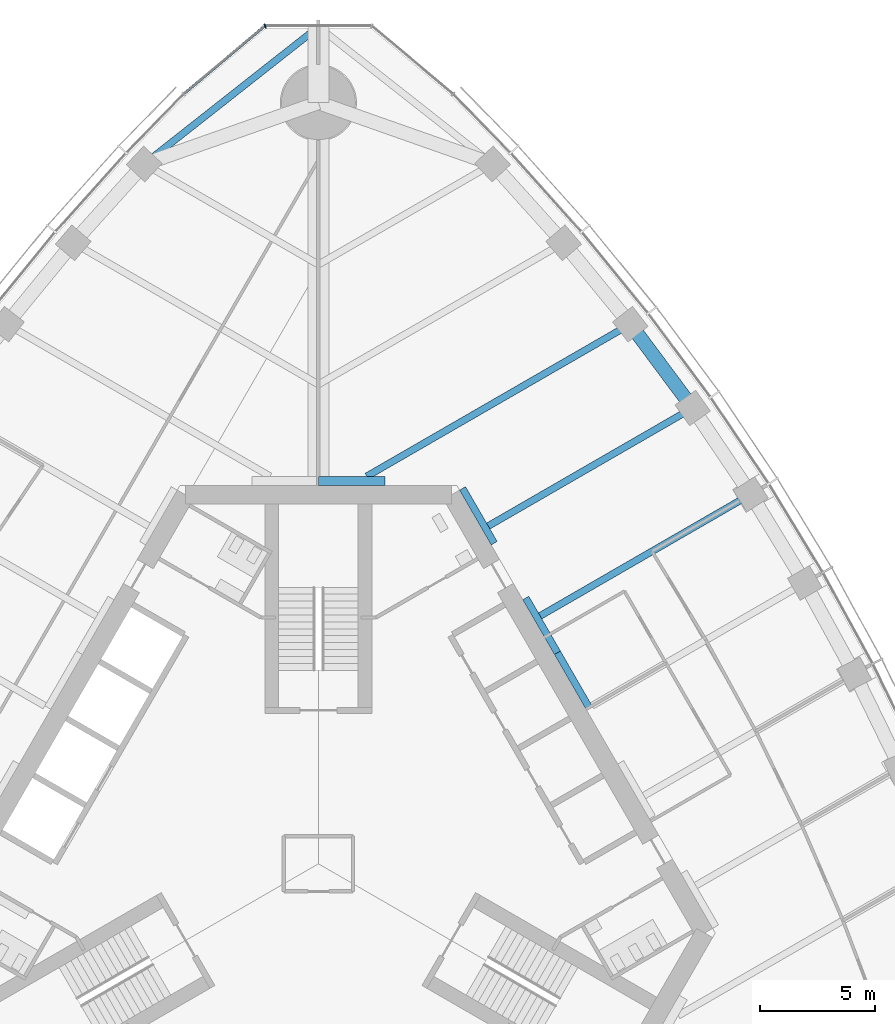
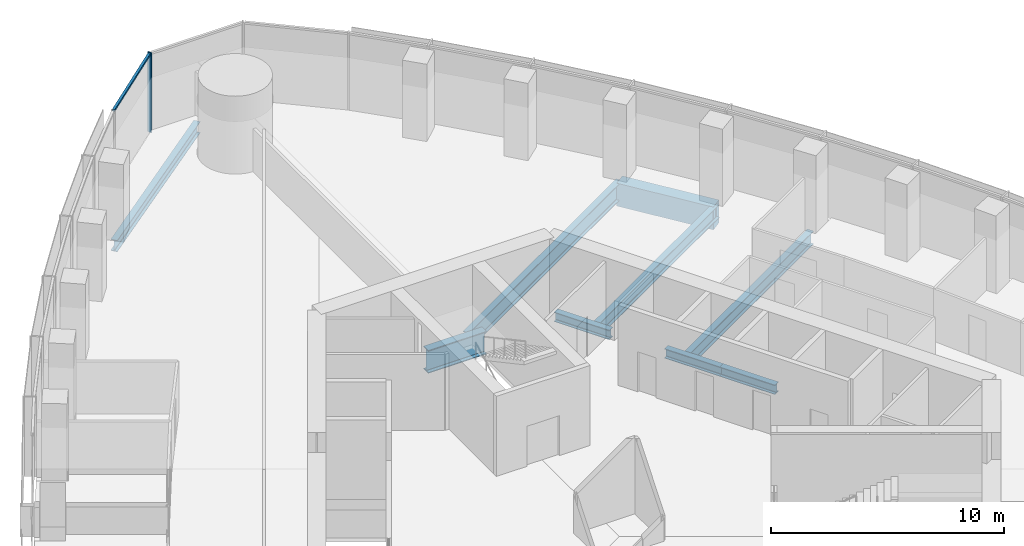
# One storey, part 6 of 20: 9 beams, 2 members, 1 element without a shape of its own.
"""IFC4 building model written with IfcOpenShell, lengths in metres."""

from ifc_helpers import new_model, si_unit, direction, frame, origin, origin_2d, place, context, subcontext, project, spatial, rectangle, i_section, extrude, material, material_profile, profile_set, type_object, element, aggregate, save


model = new_model("IFC4")

# Units and contexts
model_context = context("Model", 3, precision=1e-05, world=origin(), true_north=direction((0.0, 1.0)))
body_context = subcontext(model_context, "Body", "Model", "MODEL_VIEW")
ifc_project = project(units=[si_unit("LENGTHUNIT", "METRE"), si_unit("AREAUNIT", "SQUARE_METRE"), si_unit("VOLUMEUNIT", "CUBIC_METRE"), si_unit("PLANEANGLEUNIT", "RADIAN"), si_unit("MASSUNIT", "GRAM", prefix="KILO")], contexts=[model_context])

# Site, building, storey
site_placement = place(None, origin())
site = spatial("IfcSite", under=ifc_project, at=site_placement, CompositionType="ELEMENT")
building_placement = place(site_placement, origin())
building = spatial("IfcBuilding", under=site, at=building_placement, Name="Trefoil Bronze Tower", CompositionType="ELEMENT")
storey_placement = place(building_placement, frame((0.0, 0.0, 214.89990234375)))
storey = spatial("IfcBuildingStorey", under=building, at=storey_placement, Name="L49", CompositionType="ELEMENT", Elevation=214.89990234375)

# Curtain wall, members
ifc_material_1 = material(Name="Tinted solar-control glass", Category="glass")
curtain_wall_type = type_object("IfcCurtainWallType", Name="Bronze rounded corner curtain wall", PredefinedType="USERDEFINED", material=ifc_material_1)
curtain_wall_placement = place(storey_placement, origin())
curtain_wall = element("IfcCurtainWall", 1, at=curtain_wall_placement, inside=storey, type_object=curtain_wall_type, Name="CW-B L49 K2", ObjectType="CURTAIN WALL", PredefinedType="USERDEFINED")
ifc_material_2 = material(Name="Bronze-finish aluminium", Category="aluminium")
ifc_material_profile_1 = material_profile(ifc_material_2, rectangle(XDim=0.199951171875, YDim=0.06005859375, at=origin_2d()), Name="CW-B mullion")
ifc_profile_set_1 = profile_set([ifc_material_profile_1], Name="Bronze-finish aluminium")
member_type_1 = type_object("IfcMemberType", Name="Bronze rounded corner curtain wall mullion", PredefinedType="MULLION", material=ifc_profile_set_1)
member_1_placement = place(storey_placement, frame((-2.314453125, 36.326416015625, 0.0), z_axis=(0.0, 0.0, 1.0), x_axis=(0.342020143326, -0.939692620786, 0.0)))
member_1 = element("IfcMember", 2, at=member_1_placement, type_object=member_type_1, Name="CW-B L49 K2 mullion 3", PredefinedType="MULLION", context=body_context, shape_type="SweptSolid", body=[
    extrude(rectangle(XDim=0.199951171875, YDim=0.06005859375, at=origin_2d()), origin(), (0.0, 0.0, 1.0), 4.18017578125),
])
ifc_material_3 = material(Name="Bronze-finish aluminium", Category="aluminium")
ifc_material_profile_2 = material_profile(ifc_material_3, rectangle(XDim=0.1201171875, YDim=0.10009765625, at=origin_2d()), Name="CW-B transom")
ifc_profile_set_2 = profile_set([ifc_material_profile_2], Name="Bronze-finish aluminium")
member_type_2 = type_object("IfcMemberType", Name="Bronze rounded corner curtain wall transom", PredefinedType="USERDEFINED", material=ifc_profile_set_2)
member_2_placement = place(storey_placement, frame((-2.367431640625, 36.289794921875, 4.130126953125), z_axis=(-0.766046761698, -0.642784846501, 0.0), x_axis=(0.642784846501, -0.766046761698, 0.0)))
member_2 = element("IfcMember", 3, at=member_2_placement, type_object=member_type_2, Name="CW-B L49 K2 transom 3", ObjectType="TRANSOM", PredefinedType="USERDEFINED", context=body_context, shape_type="SweptSolid", body=[
    extrude(rectangle(XDim=0.1201171875, YDim=0.10009765625, at=origin_2d()), origin(), (0.0, 0.0, 1.0), 4.5),
])
aggregate(curtain_wall, [member_1, member_2])

# Beams
ifc_material_4 = material(Name="Steel C355", Category="steel")
ifc_material_profile_3 = material_profile(ifc_material_4, i_section(OverallWidth=0.300048828125, OverallDepth=0.5, WebThickness=0.014404296875, FlangeThickness=0.028076171875, FilletRadius=0.027099609375, at=origin_2d()), Name="HEB 500")
ifc_profile_set_3 = profile_set([ifc_material_profile_3], Name="Steel C355")
beam_type_1 = type_object("IfcBeamType", Name="Core seat beam HEB 500", PredefinedType="BEAM", material=ifc_profile_set_3)
for number, where, z_axis, x_axis, name in (
    (4, (11.734619140625, 6.77490234375, -0.449951171875), (-0.499969057507, 0.866043267704, 0.0), (-0.866043267704, -0.499969057507, 0.0), "Core seat beam F2/+0 L49"),
    (5, (10.363525390625, 9.14990234375, -0.449951171875), (-0.500035825175, 0.866004719122, 0.0), (-0.866004719122, -0.500035825175, 0.0), "Core seat beam F2/+1 L49"),
    (6, (7.62109375, 13.89990234375, -0.449951171875), (-0.500035825175, 0.866004719122, 0.0), (-0.866004719122, -0.500035825175, 0.0), "Core seat beam F2/+2 L49"),
):
    element("IfcBeam", number, at=place(storey_placement, frame(where, z_axis=z_axis, x_axis=x_axis)), inside=storey, type_object=beam_type_1, Name=name, PredefinedType="BEAM", context=body_context, shape_type="SweptSolid", body=[
        extrude(i_section(OverallWidth=0.300048828125, OverallDepth=0.5, WebThickness=0.014404296875, FlangeThickness=0.028076171875, FilletRadius=0.027099609375, at=origin_2d()), origin(), (0.0, 0.0, 1.0), 2.742431640625),
    ])
ifc_material_5 = material(Name="Steel C355", Category="steel")
ifc_material_profile_4 = material_profile(ifc_material_5, i_section(OverallWidth=0.39990234375, OverallDepth=1.199951171875, WebThickness=0.02001953125, FlangeThickness=0.0400390625, FilletRadius=0.010009765625, at=origin_2d()), Name="WPG 1200")
ifc_profile_set_4 = profile_set([ifc_material_profile_4], Name="Steel C355")
beam_type_2 = type_object("IfcBeamType", Name="Core seat beam WPG 1200", PredefinedType="BEAM", material=ifc_profile_set_4)
beam_1_placement = place(storey_placement, frame((2.88671875, 16.60009765625, -0.7998046875), z_axis=(-1.0, 0.0, 0.0), x_axis=(0.0, -1.0, 0.0)))
element("IfcBeam", 7, at=beam_1_placement, inside=storey, type_object=beam_type_2, Name="Core seat beam F2/+3 L49", PredefinedType="BEAM", context=body_context, shape_type="SweptSolid", body=[
    extrude(i_section(OverallWidth=0.39990234375, OverallDepth=1.199951171875, WebThickness=0.02001953125, FlangeThickness=0.0400390625, FilletRadius=0.010009765625, at=origin_2d()), origin(), (0.0, 0.0, 1.0), 2.88671875),
])
ifc_material_6 = material(Name="Steel C355", Category="steel")
ifc_material_profile_5 = material_profile(ifc_material_6, i_section(OverallWidth=0.300048828125, OverallDepth=0.60009765625, WebThickness=0.015380859375, FlangeThickness=0.030029296875, FilletRadius=0.027099609375, at=origin_2d()), Name="HEB 600")
ifc_profile_set_5 = profile_set([ifc_material_profile_5], Name="Steel C355")
beam_type_3 = type_object("IfcBeamType", Name="Corner edge beam HEB 600", PredefinedType="BEAM", material=ifc_profile_set_5)
beam_2_placement = place(storey_placement, frame((-7.552001953125, 30.3408203125, -0.5), z_axis=(0.785805912008, 0.618473175371, 0.0), x_axis=(-0.618473175371, 0.785805912008, 0.0)))
element("IfcBeam", 8, at=beam_2_placement, inside=storey, type_object=beam_type_3, Name="Corner edge beam F3B L49", PredefinedType="BEAM", context=body_context, shape_type="SweptSolid", body=[
    extrude(i_section(OverallWidth=0.300048828125, OverallDepth=0.60009765625, WebThickness=0.015380859375, FlangeThickness=0.030029296875, FilletRadius=0.027099609375, at=origin_2d()), origin(), (0.0, 0.0, 1.0), 9.610595703125),
])
ifc_material_7 = material(Name="Steel C355", Category="steel")
ifc_material_profile_6 = material_profile(ifc_material_7, i_section(OverallWidth=0.300048828125, OverallDepth=0.699951171875, WebThickness=0.01708984375, FlangeThickness=0.031982421875, FilletRadius=0.027099609375, at=origin_2d()), Name="HEB 700")
ifc_profile_set_6 = profile_set([ifc_material_profile_6], Name="Steel C355")
beam_type_4 = type_object("IfcBeamType", Name="Floor beam HEB 700", PredefinedType="BEAM", material=ifc_profile_set_6)
beam_3_placement = place(storey_placement, frame((18.748046875, 16.020263671875, -0.5498046875), z_axis=(-0.866027918957, -0.499995643569, 0.0), x_axis=(0.499995643569, -0.866027918957, 0.0)))
element("IfcBeam", 9, at=beam_3_placement, inside=storey, type_object=beam_type_4, Name="Floor beam F2/+1 L49", PredefinedType="BEAM", context=body_context, shape_type="SweptSolid", body=[
    extrude(i_section(OverallWidth=0.300048828125, OverallDepth=0.699951171875, WebThickness=0.01708984375, FlangeThickness=0.031982421875, FilletRadius=0.027099609375, at=origin_2d()), origin(), (0.0, 0.0, 1.0), 10.54638671875),
])
beam_4_placement = place(storey_placement, frame((16.2265625, 19.7607421875, -0.5498046875), z_axis=(-0.866027856548, -0.499995751665, 0.0), x_axis=(0.499995751665, -0.866027856548, 0.0)))
element("IfcBeam", 10, at=beam_4_placement, inside=storey, type_object=beam_type_4, Name="Floor beam F2/+2 L49", PredefinedType="BEAM", context=body_context, shape_type="SweptSolid", body=[
    extrude(i_section(OverallWidth=0.300048828125, OverallDepth=0.699951171875, WebThickness=0.01708984375, FlangeThickness=0.031982421875, FilletRadius=0.027099609375, at=origin_2d()), origin(), (0.0, 0.0, 1.0), 10.23291015625),
])
ifc_material_8 = material(Name="Steel C355", Category="steel")
ifc_material_profile_7 = material_profile(ifc_material_8, i_section(OverallWidth=0.300048828125, OverallDepth=0.89990234375, WebThickness=0.0185546875, FlangeThickness=0.034912109375, FilletRadius=0.030029296875, at=origin_2d()), Name="HEB 900")
ifc_profile_set_7 = profile_set([ifc_material_profile_7], Name="Steel C355")
beam_type_5 = type_object("IfcBeamType", Name="Floor beam HEB 900", PredefinedType="BEAM", material=ifc_profile_set_7)
beam_5_placement = place(storey_placement, frame((13.522216796875, 23.3955078125, -0.64990234375), z_axis=(-0.866028399451, -0.499994811317, 0.0), x_axis=(0.499994811317, -0.866028399451, 0.0)))
element("IfcBeam", 11, at=beam_5_placement, inside=storey, type_object=beam_type_5, Name="Floor beam F2/+3 L49", PredefinedType="BEAM", context=body_context, shape_type="SweptSolid", body=[
    extrude(i_section(OverallWidth=0.300048828125, OverallDepth=0.89990234375, WebThickness=0.0185546875, FlangeThickness=0.034912109375, FilletRadius=0.030029296875, at=origin_2d()), origin(), (0.0, 0.0, 1.0), 13.191162109375),
])
ifc_material_9 = material(Name="Concrete B80", Category="concrete")
ifc_material_profile_8 = material_profile(ifc_material_9, rectangle(XDim=0.60009765625, YDim=1.199951171875, at=origin_2d()), Name="RC 600x1200")
ifc_profile_set_8 = profile_set([ifc_material_profile_8], Name="Concrete B80")
beam_type_6 = type_object("IfcBeamType", Name="Spandrel beam RC 600x1200", PredefinedType="SPANDREL", material=ifc_profile_set_8)
beam_6_placement = place(storey_placement, frame((16.2265625, 19.7607421875, -0.7998046875), z_axis=(-0.596926078257, 0.802296240236, 0.0), x_axis=(-0.802296240236, -0.596926078257, 0.0)))
element("IfcBeam", 12, at=beam_6_placement, inside=storey, type_object=beam_type_6, Name="Spandrel F2.9 L49", PredefinedType="SPANDREL", context=body_context, shape_type="SweptSolid", body=[
    extrude(rectangle(XDim=0.60009765625, YDim=1.199951171875, at=origin_2d()), origin(), (0.0, 0.0, 1.0), 4.530517578125),
])

save(model, "model.ifc")
